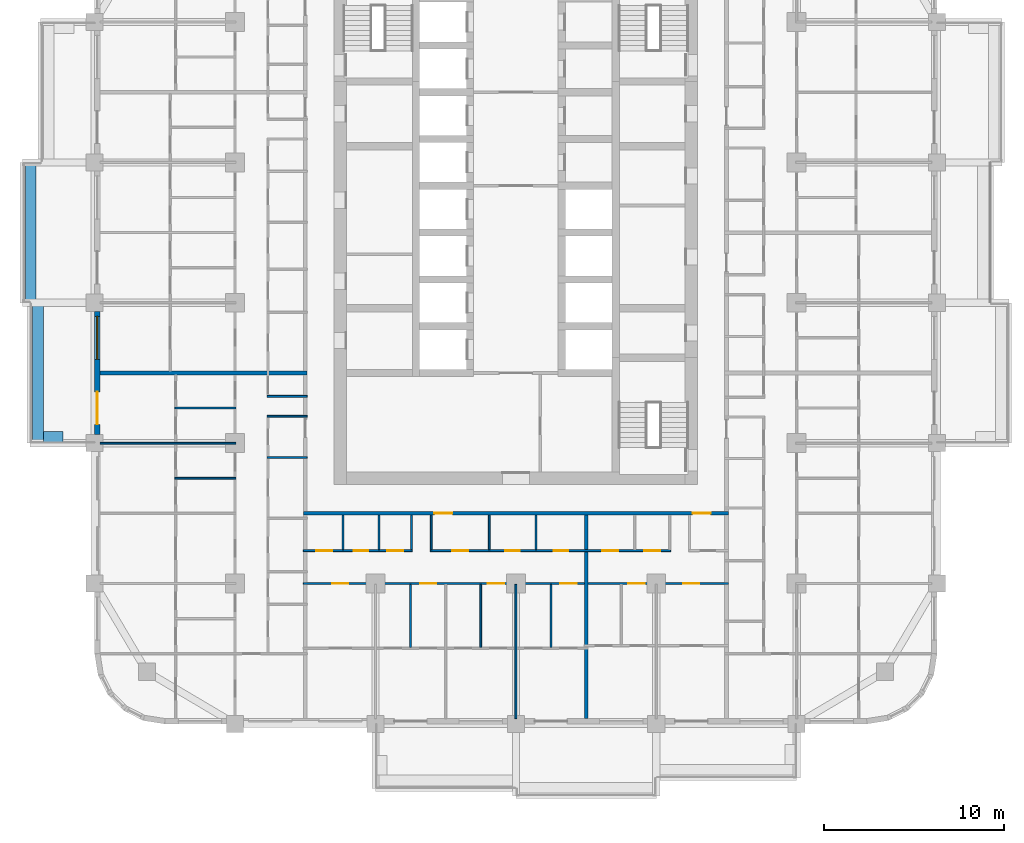
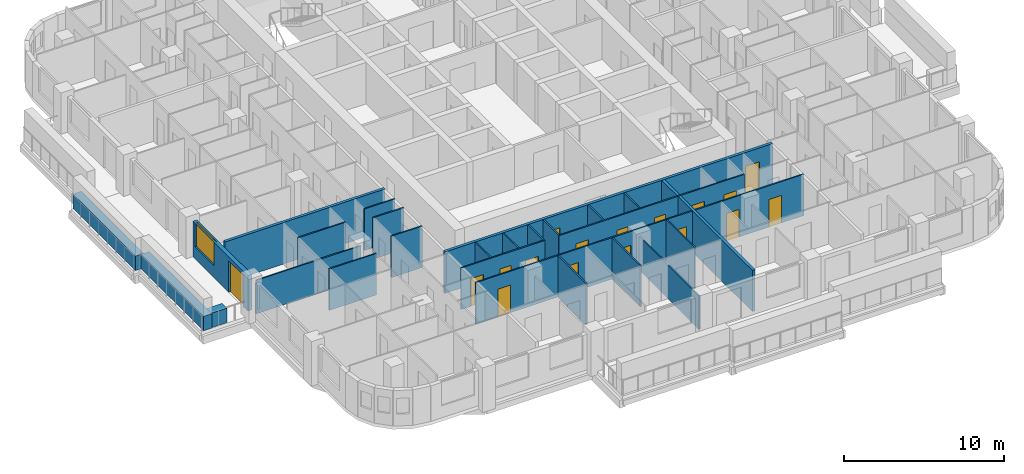
# One storey, part 4 of 17: 26 walls, 17 doors, 1 window, 18 openings.
"""IFC4 building model written with IfcOpenShell, lengths in metres."""

from ifc_helpers import new_model, si_unit, direction, frame, frame_2d, origin, place, context, subcontext, project, spatial, rectangle, extrude, material, layer, layer_set, type_object, element, fill, save


model = new_model("IFC4")

# Units and contexts
model_context = context("Model", 3, precision=1e-05, world=origin(), true_north=direction((0.0, 1.0)))
body_context = subcontext(model_context, "Body", "Model", "MODEL_VIEW")
ifc_project = project(units=[si_unit("LENGTHUNIT", "METRE"), si_unit("AREAUNIT", "SQUARE_METRE"), si_unit("VOLUMEUNIT", "CUBIC_METRE"), si_unit("PLANEANGLEUNIT", "RADIAN"), si_unit("MASSUNIT", "GRAM", prefix="KILO")], contexts=[model_context])

# Site, building, storey
site_placement = place(None, origin())
site = spatial("IfcSite", under=ifc_project, at=site_placement, CompositionType="ELEMENT")
building_placement = place(site_placement, origin())
building = spatial("IfcBuilding", under=site, at=building_placement, Name="Ludao Terraces", CompositionType="ELEMENT")
storey_placement = place(building_placement, frame((0.0, 0.0, 85.199951171875)))
storey = spatial("IfcBuildingStorey", under=building, at=storey_placement, Name="L23", CompositionType="ELEMENT", Elevation=85.199951171875)

# Walls
ifc_material_1 = material(Name="Concrete C40", Category="concrete")
ifc_layer_1 = layer(ifc_material_1, 0.60009765625)
ifc_layer_set_1 = layer_set([ifc_layer_1], Name="ENV Planter trough 600")
wall_type_1 = type_object("IfcWallType", Name="ENV Planter trough 600", PredefinedType="USERDEFINED", material=ifc_layer_set_1)
wall_1_placement = place(storey_placement, frame((58.449951171875, 57.199951171875, 0.0), z_axis=(0.0, 0.0, 1.0), x_axis=(0.0, 1.0, 0.0)))
element("IfcWall", 1, at=wall_1_placement, inside=storey, type_object=wall_type_1, Name="PL-L23-W2", ObjectType="PLANTER", PredefinedType="USERDEFINED", context=body_context, shape_type="SweptSolid", body=[
    extrude(rectangle(XDim=7.800048828125, YDim=0.60009765625, at=frame_2d((3.89990234375, 0.0))), origin(), (0.0, 0.0, 1.0), 1.10009765625),
])
wall_2_placement = place(storey_placement, frame((58.75, 57.550048828125, 0.0), z_axis=(0.0, 0.0, 1.0), x_axis=(1.0, 0.0, 0.0)))
element("IfcWall", 2, at=wall_2_placement, inside=storey, type_object=wall_type_1, Name="PL-L23-W2-SA", ObjectType="PLANTER", PredefinedType="USERDEFINED", context=body_context, shape_type="SweptSolid", body=[
    extrude(rectangle(XDim=1.10009765625, YDim=0.60009765625, at=frame_2d((0.550048828125, 0.0))), origin(), (0.0, 0.0, 1.0), 1.10009765625),
])
wall_3_placement = place(storey_placement, frame((58.050048828125, 65.0, 0.0), z_axis=(0.0, 0.0, 1.0), x_axis=(0.0, 1.0, 0.0)))
element("IfcWall", 3, at=wall_3_placement, inside=storey, type_object=wall_type_1, Name="PL-L23-W3", ObjectType="PLANTER", PredefinedType="USERDEFINED", context=body_context, shape_type="SweptSolid", body=[
    extrude(rectangle(XDim=7.800048828125, YDim=0.60009765625, at=frame_2d((3.89990234375, 0.0))), origin(), (0.0, 0.0, 1.0), 1.10009765625),
])

# Wall, openings, door, window
ifc_material_2 = material(Name="Granite cladding", Category="masonry")
ifc_layer_2 = layer(ifc_material_2, 0.0400390625, Category="stone")
ifc_material_3 = material(Name="Mineral wool")
ifc_layer_3 = layer(ifc_material_3, 0.06005859375)
ifc_layer_4 = layer(ifc_material_1, 0.199951171875, Category="concrete")
ifc_layer_set_2 = layer_set([ifc_layer_2, ifc_layer_3, ifc_layer_4], Name="ENV Stone-clad wall 300")
wall_type_2 = type_object("IfcWallType", Name="ENV Stone-clad wall 300", PredefinedType="SOLIDWALL", material=ifc_layer_set_2)
wall_4_placement = place(storey_placement, frame((61.75, 57.675048828125, 0.0), z_axis=(0.0, 0.0, 1.0), x_axis=(0.0, 1.0, 0.0)))
wall_4 = element("IfcWall", 4, at=wall_4_placement, inside=storey, type_object=wall_type_2, Name="EW-L23-W3", PredefinedType="SOLIDWALL", context=body_context, shape_type="SweptSolid", body=[
    extrude(rectangle(XDim=6.849853515625, YDim=0.300048828125, at=frame_2d((3.4248046875, 0.0))), origin(), (0.0, 0.0, 1.0), 2.699951171875),
])
opening_1_placement = place(wall_4_placement, frame((0.574951171875, 0.0, 0.0)))
opening_1 = element("IfcOpeningElement", 5, at=opening_1_placement, cuts=wall_4, Name="Opening BD", PredefinedType="OPENING", context=body_context, shape_type="SweptSolid", body=[
    extrude(rectangle(XDim=1.800048828125, YDim=2.39990234375, at=frame_2d((0.89990234375, 1.199951171875))), frame((0.0, 0.16015625, 0.0), z_axis=(0.0, -1.0, 0.0), x_axis=(1.0, 0.0, 0.0)), (0.0, 0.0, 1.0), 0.320068359375),
])
opening_2_placement = place(wall_4_placement, frame((4.175048828125, 0.0, 0.89990234375)))
opening_2 = element("IfcOpeningElement", 6, at=opening_2_placement, cuts=wall_4, Name="Opening W1", PredefinedType="OPENING", context=body_context, shape_type="SweptSolid", body=[
    extrude(rectangle(XDim=2.39990234375, YDim=1.800048828125, at=frame_2d((1.199951171875, 0.89990234375))), frame((0.0, 0.16015625, 0.0), z_axis=(0.0, -1.0, 0.0), x_axis=(1.0, 0.0, 0.0)), (0.0, 0.0, 1.0), 0.320068359375),
])
ifc_material_4 = material(Name="Aluminium glazed door", Category="aluminium")
ifc_layer_5 = layer(ifc_material_4, 0.06005859375)
ifc_layer_set_3 = layer_set([ifc_layer_5], Name="ENV Balcony door BD 1800x2400")
door_type_1 = type_object("IfcDoorType", Name="ENV Balcony door BD 1800x2400", OperationType="DOUBLE_DOOR_SINGLE_SWING", PredefinedType="DOOR", material=ifc_layer_set_3)
door_1_placement = place(opening_1_placement, origin())
door_1 = element("IfcDoor", 7, at=door_1_placement, inside=storey, type_object=door_type_1, Name="BD-L23-W3-1", OperationType="DOUBLE_DOOR_SINGLE_SWING", OverallHeight=2.39990234375, OverallWidth=1.800048828125, PredefinedType="DOOR", context=body_context, shape_type="SweptSolid", body=[
    extrude(rectangle(XDim=1.800048828125, YDim=2.39990234375, at=frame_2d((0.89990234375, 1.199951171875))), frame((0.0, 0.02490234375, 0.0), z_axis=(0.0, -1.0, 0.0), x_axis=(1.0, 0.0, 0.0)), (0.0, 0.0, 1.0), 0.050048828125),
])
fill(opening_1, door_1)
ifc_material_5 = material(Name="Clear glass in aluminium frame", Category="aluminium")
ifc_layer_6 = layer(ifc_material_5, 0.06005859375)
ifc_layer_set_4 = layer_set([ifc_layer_6], Name="ENV Window W1 2400x1800")
window_type = type_object("IfcWindowType", Name="ENV Window W1 2400x1800", PartitioningType="DOUBLE_PANEL_VERTICAL", PredefinedType="WINDOW", material=ifc_layer_set_4)
window_placement = place(opening_2_placement, origin())
window = element("IfcWindow", 8, at=window_placement, inside=storey, type_object=window_type, Name="W-L23-W3-2", OverallHeight=1.800048828125, OverallWidth=2.39990234375, PartitioningType="DOUBLE_PANEL_VERTICAL", PredefinedType="WINDOW", context=body_context, shape_type="SweptSolid", body=[
    extrude(rectangle(XDim=2.39990234375, YDim=1.800048828125, at=frame_2d((1.199951171875, 0.89990234375))), frame((0.0, 0.030029296875, 0.0), z_axis=(0.0, -1.0, 0.0), x_axis=(1.0, 0.0, 0.0)), (0.0, 0.0, 1.0), 0.06005859375),
])
fill(opening_2, window)

# Wall, openings, doors
ifc_material_6 = material(Name="Autoclaved aerated concrete block B06 A3.5", Category="concrete")
ifc_layer_7 = layer(ifc_material_6, 0.199951171875)
ifc_layer_set_5 = layer_set([ifc_layer_7], Name="INT Entrance wall 200")
wall_type_3 = type_object("IfcWallType", Name="INT Entrance wall 200", PredefinedType="PARTITIONING", material=ifc_layer_set_5)
wall_5_placement = place(storey_placement, frame((73.2001953125, 53.300048828125, 0.0), z_axis=(0.0, 0.0, 1.0), x_axis=(1.0, 0.0, 0.0)))
wall_5 = element("IfcWall", 9, at=wall_5_placement, inside=storey, type_object=wall_type_3, Name="PW-L23-PW017", PredefinedType="PARTITIONING", context=body_context, shape_type="SweptSolid", body=[
    extrude(rectangle(XDim=23.599853515625, YDim=0.199951171875, at=frame_2d((11.7998046875, 0.0))), origin(), (0.0, 0.0, 1.0), 3.150146484375),
])
opening_3_placement = place(wall_5_placement, frame((7.27490234375, 0.0, 0.0)))
opening_3 = element("IfcOpeningElement", 10, at=opening_3_placement, cuts=wall_5, Name="Opening R07-047", PredefinedType="OPENING", context=body_context, shape_type="SweptSolid", body=[
    extrude(rectangle(XDim=1.0, YDim=2.10009765625, at=frame_2d((0.5, 1.050048828125))), frame((0.0, 0.10986328125, 0.0), z_axis=(0.0, -1.0, 0.0), x_axis=(1.0, 0.0, 0.0)), (0.0, 0.0, 1.0), 0.219970703125),
])
opening_4_placement = place(wall_5_placement, frame((21.625, 0.0, 0.0)))
opening_4 = element("IfcOpeningElement", 11, at=opening_4_placement, cuts=wall_5, Name="Opening R07-048", PredefinedType="OPENING", context=body_context, shape_type="SweptSolid", body=[
    extrude(rectangle(XDim=1.0, YDim=2.10009765625, at=frame_2d((0.5, 1.050048828125))), frame((0.0, 0.10986328125, 0.0), z_axis=(0.0, -1.0, 0.0), x_axis=(1.0, 0.0, 0.0)), (0.0, 0.0, 1.0), 0.219970703125),
])
ifc_material_7 = material(Name="Steel Q235", Category="steel")
door_type_2 = type_object("IfcDoorType", Name="INT Flat entrance door 1000", OperationType="SINGLE_SWING_LEFT", PredefinedType="DOOR", material=ifc_material_7)
door_2_placement = place(opening_3_placement, origin())
door_2 = element("IfcDoor", 12, at=door_2_placement, inside=storey, type_object=door_type_2, Name="DOOR 047", OperationType="SINGLE_SWING_LEFT", OverallHeight=2.10009765625, OverallWidth=1.0, PredefinedType="DOOR", context=body_context, shape_type="SweptSolid", body=[
    extrude(rectangle(XDim=1.0, YDim=2.10009765625, at=frame_2d((0.5, 1.050048828125))), frame((0.0, 0.02490234375, 0.0), z_axis=(0.0, -1.0, 0.0), x_axis=(1.0, 0.0, 0.0)), (0.0, 0.0, 1.0), 0.050048828125),
])
fill(opening_3, door_2)
door_3_placement = place(opening_4_placement, origin())
door_3 = element("IfcDoor", 13, at=door_3_placement, inside=storey, type_object=door_type_2, Name="DOOR 048", OperationType="SINGLE_SWING_LEFT", OverallHeight=2.10009765625, OverallWidth=1.0, PredefinedType="DOOR", context=body_context, shape_type="SweptSolid", body=[
    extrude(rectangle(XDim=1.0, YDim=2.10009765625, at=frame_2d((0.5, 1.050048828125))), frame((0.0, 0.02490234375, 0.0), z_axis=(0.0, -1.0, 0.0), x_axis=(1.0, 0.0, 0.0)), (0.0, 0.0, 1.0), 0.050048828125),
])
fill(opening_4, door_3)

ifc_material_8 = material(Name="Gypsum plasterboard", Category="gypsum")
ifc_layer_8 = layer(ifc_material_8, 0.012451171875, Category="gypsum")
ifc_layer_9 = layer(ifc_material_3, 0.06005859375, Name="insulation")
ifc_layer_10 = layer(ifc_material_7, 0.014892578125, Name="stud")
ifc_layer_11 = layer(ifc_material_8, 0.012451171875, Category="gypsum")
ifc_layer_set_6 = layer_set([ifc_layer_8, ifc_layer_9, ifc_layer_10, ifc_layer_11], Name="INT Partition 100")
wall_type_4 = type_object("IfcWallType", Name="INT Partition 100", PredefinedType="PARTITIONING", material=ifc_layer_set_6)
wall_6_placement = place(storey_placement, frame((73.2001953125, 49.39990234375, 0.0), z_axis=(0.0, 0.0, 1.0), x_axis=(1.0, 0.0, 0.0)))
wall_6 = element("IfcWall", 14, at=wall_6_placement, inside=storey, type_object=wall_type_4, Name="PW-L23-PW008", PredefinedType="PARTITIONING", context=body_context, shape_type="SweptSolid", body=[
    extrude(rectangle(XDim=23.599853515625, YDim=0.10009765625, at=frame_2d((11.7998046875, 0.0))), origin(), (0.0, 0.0, 1.0), 3.150146484375),
])
opening_5_placement = place(wall_6_placement, frame((1.599853515625, 0.0, 0.0)))
opening_5 = element("IfcOpeningElement", 15, at=opening_5_placement, cuts=wall_6, Name="Opening R07-026", PredefinedType="OPENING", context=body_context, shape_type="SweptSolid", body=[
    extrude(rectangle(XDim=0.89990234375, YDim=2.10009765625, at=frame_2d((0.449951171875, 1.050048828125))), frame((0.0, 0.06005859375, 0.0), z_axis=(0.0, -1.0, 0.0), x_axis=(1.0, 0.0, 0.0)), (0.0, 0.0, 1.0), 0.1201171875),
])
opening_6_placement = place(wall_6_placement, frame((6.474853515625, 0.0, 0.0)))
opening_6 = element("IfcOpeningElement", 16, at=opening_6_placement, cuts=wall_6, Name="Opening R07-027", PredefinedType="OPENING", context=body_context, shape_type="SweptSolid", body=[
    extrude(rectangle(XDim=0.89990234375, YDim=2.10009765625, at=frame_2d((0.449951171875, 1.050048828125))), frame((0.0, 0.06005859375, 0.0), z_axis=(0.0, -1.0, 0.0), x_axis=(1.0, 0.0, 0.0)), (0.0, 0.0, 1.0), 0.1201171875),
])
opening_7_placement = place(wall_6_placement, frame((10.25, 0.0, 0.0)))
opening_7 = element("IfcOpeningElement", 17, at=opening_7_placement, cuts=wall_6, Name="Opening R07-028", PredefinedType="OPENING", context=body_context, shape_type="SweptSolid", body=[
    extrude(rectangle(XDim=0.89990234375, YDim=2.10009765625, at=frame_2d((0.449951171875, 1.050048828125))), frame((0.0, 0.06005859375, 0.0), z_axis=(0.0, -1.0, 0.0), x_axis=(1.0, 0.0, 0.0)), (0.0, 0.0, 1.0), 0.1201171875),
])
opening_8_placement = place(wall_6_placement, frame((14.27490234375, 0.0, 0.0)))
opening_8 = element("IfcOpeningElement", 18, at=opening_8_placement, cuts=wall_6, Name="Opening R07-029", PredefinedType="OPENING", context=body_context, shape_type="SweptSolid", body=[
    extrude(rectangle(XDim=0.89990234375, YDim=2.10009765625, at=frame_2d((0.449951171875, 1.050048828125))), frame((0.0, 0.06005859375, 0.0), z_axis=(0.0, -1.0, 0.0), x_axis=(1.0, 0.0, 0.0)), (0.0, 0.0, 1.0), 0.1201171875),
])
opening_9_placement = place(wall_6_placement, frame((18.0498046875, 0.0, 0.0)))
opening_9 = element("IfcOpeningElement", 19, at=opening_9_placement, cuts=wall_6, Name="Opening R07-030", PredefinedType="OPENING", context=body_context, shape_type="SweptSolid", body=[
    extrude(rectangle(XDim=0.89990234375, YDim=2.10009765625, at=frame_2d((0.449951171875, 1.050048828125))), frame((0.0, 0.06005859375, 0.0), z_axis=(0.0, -1.0, 0.0), x_axis=(1.0, 0.0, 0.0)), (0.0, 0.0, 1.0), 0.1201171875),
])
opening_10_placement = place(wall_6_placement, frame((21.099853515625, 0.0, 0.0)))
opening_10 = element("IfcOpeningElement", 20, at=opening_10_placement, cuts=wall_6, Name="Opening R07-031", PredefinedType="OPENING", context=body_context, shape_type="SweptSolid", body=[
    extrude(rectangle(XDim=0.89990234375, YDim=2.10009765625, at=frame_2d((0.449951171875, 1.050048828125))), frame((0.0, 0.06005859375, 0.0), z_axis=(0.0, -1.0, 0.0), x_axis=(1.0, 0.0, 0.0)), (0.0, 0.0, 1.0), 0.1201171875),
])
ifc_material_9 = material(Name="Timber door leaf", Category="wood")
door_type_3 = type_object("IfcDoorType", Name="INT Room door 900", OperationType="SINGLE_SWING_LEFT", PredefinedType="DOOR", material=ifc_material_9)
door_4_placement = place(opening_5_placement, origin())
door_4 = element("IfcDoor", 21, at=door_4_placement, inside=storey, type_object=door_type_3, Name="DOOR 026", OperationType="SINGLE_SWING_LEFT", OverallHeight=2.10009765625, OverallWidth=0.89990234375, PredefinedType="DOOR", context=body_context, shape_type="SweptSolid", body=[
    extrude(rectangle(XDim=0.89990234375, YDim=2.10009765625, at=frame_2d((0.449951171875, 1.050048828125))), frame((0.0, 0.02490234375, 0.0), z_axis=(0.0, -1.0, 0.0), x_axis=(1.0, 0.0, 0.0)), (0.0, 0.0, 1.0), 0.050048828125),
])
fill(opening_5, door_4)
door_5_placement = place(opening_6_placement, origin())
door_5 = element("IfcDoor", 22, at=door_5_placement, inside=storey, type_object=door_type_3, Name="DOOR 027", OperationType="SINGLE_SWING_RIGHT", OverallHeight=2.10009765625, OverallWidth=0.89990234375, PredefinedType="DOOR", context=body_context, shape_type="SweptSolid", body=[
    extrude(rectangle(XDim=0.89990234375, YDim=2.10009765625, at=frame_2d((0.449951171875, 1.050048828125))), frame((0.0, 0.02490234375, 0.0), z_axis=(0.0, -1.0, 0.0), x_axis=(1.0, 0.0, 0.0)), (0.0, 0.0, 1.0), 0.050048828125),
])
fill(opening_6, door_5)
door_6_placement = place(opening_7_placement, origin())
door_6 = element("IfcDoor", 23, at=door_6_placement, inside=storey, type_object=door_type_3, Name="DOOR 028", OperationType="SINGLE_SWING_RIGHT", OverallHeight=2.10009765625, OverallWidth=0.89990234375, PredefinedType="DOOR", context=body_context, shape_type="SweptSolid", body=[
    extrude(rectangle(XDim=0.89990234375, YDim=2.10009765625, at=frame_2d((0.449951171875, 1.050048828125))), frame((0.0, 0.02490234375, 0.0), z_axis=(0.0, -1.0, 0.0), x_axis=(1.0, 0.0, 0.0)), (0.0, 0.0, 1.0), 0.050048828125),
])
fill(opening_7, door_6)
door_7_placement = place(opening_8_placement, origin())
door_7 = element("IfcDoor", 24, at=door_7_placement, inside=storey, type_object=door_type_3, Name="DOOR 029", OperationType="SINGLE_SWING_LEFT", OverallHeight=2.10009765625, OverallWidth=0.89990234375, PredefinedType="DOOR", context=body_context, shape_type="SweptSolid", body=[
    extrude(rectangle(XDim=0.89990234375, YDim=2.10009765625, at=frame_2d((0.449951171875, 1.050048828125))), frame((0.0, 0.02490234375, 0.0), z_axis=(0.0, -1.0, 0.0), x_axis=(1.0, 0.0, 0.0)), (0.0, 0.0, 1.0), 0.050048828125),
])
fill(opening_8, door_7)
door_8_placement = place(opening_9_placement, origin())
door_8 = element("IfcDoor", 25, at=door_8_placement, inside=storey, type_object=door_type_3, Name="DOOR 030", OperationType="SINGLE_SWING_RIGHT", OverallHeight=2.10009765625, OverallWidth=0.89990234375, PredefinedType="DOOR", context=body_context, shape_type="SweptSolid", body=[
    extrude(rectangle(XDim=0.89990234375, YDim=2.10009765625, at=frame_2d((0.449951171875, 1.050048828125))), frame((0.0, 0.02490234375, 0.0), z_axis=(0.0, -1.0, 0.0), x_axis=(1.0, 0.0, 0.0)), (0.0, 0.0, 1.0), 0.050048828125),
])
fill(opening_9, door_8)
door_9_placement = place(opening_10_placement, origin())
door_9 = element("IfcDoor", 26, at=door_9_placement, inside=storey, type_object=door_type_3, Name="DOOR 031", OperationType="SINGLE_SWING_RIGHT", OverallHeight=2.10009765625, OverallWidth=0.89990234375, PredefinedType="DOOR", context=body_context, shape_type="SweptSolid", body=[
    extrude(rectangle(XDim=0.89990234375, YDim=2.10009765625, at=frame_2d((0.449951171875, 1.050048828125))), frame((0.0, 0.02490234375, 0.0), z_axis=(0.0, -1.0, 0.0), x_axis=(1.0, 0.0, 0.0)), (0.0, 0.0, 1.0), 0.050048828125),
])
fill(opening_10, door_9)

wall_7_placement = place(storey_placement, frame((73.2001953125, 51.22998046875, 0.0), z_axis=(0.0, 0.0, 1.0), x_axis=(1.0, 0.0, 0.0)))
wall_7 = element("IfcWall", 27, at=wall_7_placement, inside=storey, type_object=wall_type_4, Name="PW-L23-PW012", PredefinedType="PARTITIONING", context=body_context, shape_type="SweptSolid", body=[
    extrude(rectangle(XDim=6.0498046875, YDim=0.10009765625, at=frame_2d((3.02490234375, 0.0))), origin(), (0.0, 0.0, 1.0), 3.150146484375),
])
opening_11_placement = place(wall_7_placement, frame((0.699951171875, 0.0, 0.0)))
opening_11 = element("IfcOpeningElement", 28, at=opening_11_placement, cuts=wall_7, Name="Opening R07-032", PredefinedType="OPENING", context=body_context, shape_type="SweptSolid", body=[
    extrude(rectangle(XDim=0.89990234375, YDim=2.10009765625, at=frame_2d((0.449951171875, 1.050048828125))), frame((0.0, 0.06005859375, 0.0), z_axis=(0.0, -1.0, 0.0), x_axis=(1.0, 0.0, 0.0)), (0.0, 0.0, 1.0), 0.1201171875),
])
opening_12_placement = place(wall_7_placement, frame((2.7998046875, 0.0, 0.0)))
opening_12 = element("IfcOpeningElement", 29, at=opening_12_placement, cuts=wall_7, Name="Opening R07-033", PredefinedType="OPENING", context=body_context, shape_type="SweptSolid", body=[
    extrude(rectangle(XDim=0.800048828125, YDim=2.10009765625, at=frame_2d((0.39990234375, 1.050048828125))), frame((0.0, 0.06005859375, 0.0), z_axis=(0.0, -1.0, 0.0), x_axis=(1.0, 0.0, 0.0)), (0.0, 0.0, 1.0), 0.1201171875),
])
opening_13_placement = place(wall_7_placement, frame((4.64990234375, 0.0, 0.0)))
opening_13 = element("IfcOpeningElement", 30, at=opening_13_placement, cuts=wall_7, Name="Opening R07-034", PredefinedType="OPENING", context=body_context, shape_type="SweptSolid", body=[
    extrude(rectangle(XDim=0.89990234375, YDim=2.10009765625, at=frame_2d((0.449951171875, 1.050048828125))), frame((0.0, 0.06005859375, 0.0), z_axis=(0.0, -1.0, 0.0), x_axis=(1.0, 0.0, 0.0)), (0.0, 0.0, 1.0), 0.1201171875),
])
door_type_4 = type_object("IfcDoorType", Name="INT Bathroom door 900", OperationType="SINGLE_SWING_LEFT", PredefinedType="DOOR", material=ifc_material_9)
door_10_placement = place(opening_11_placement, origin())
door_10 = element("IfcDoor", 31, at=door_10_placement, inside=storey, type_object=door_type_4, Name="DOOR 032", OperationType="SINGLE_SWING_LEFT", OverallHeight=2.10009765625, OverallWidth=0.89990234375, PredefinedType="DOOR", context=body_context, shape_type="SweptSolid", body=[
    extrude(rectangle(XDim=0.89990234375, YDim=2.10009765625, at=frame_2d((0.449951171875, 1.050048828125))), frame((0.0, 0.02490234375, 0.0), z_axis=(0.0, -1.0, 0.0), x_axis=(1.0, 0.0, 0.0)), (0.0, 0.0, 1.0), 0.050048828125),
])
fill(opening_11, door_10)
door_11_placement = place(opening_13_placement, origin())
door_11 = element("IfcDoor", 32, at=door_11_placement, inside=storey, type_object=door_type_4, Name="DOOR 034", OperationType="SINGLE_SWING_LEFT", OverallHeight=2.10009765625, OverallWidth=0.89990234375, PredefinedType="DOOR", context=body_context, shape_type="SweptSolid", body=[
    extrude(rectangle(XDim=0.89990234375, YDim=2.10009765625, at=frame_2d((0.449951171875, 1.050048828125))), frame((0.0, 0.02490234375, 0.0), z_axis=(0.0, -1.0, 0.0), x_axis=(1.0, 0.0, 0.0)), (0.0, 0.0, 1.0), 0.050048828125),
])
fill(opening_13, door_11)
door_type_5 = type_object("IfcDoorType", Name="INT Store door 800", OperationType="SINGLE_SWING_LEFT", PredefinedType="DOOR", material=ifc_material_9)
door_12_placement = place(opening_12_placement, origin())
door_12 = element("IfcDoor", 33, at=door_12_placement, inside=storey, type_object=door_type_5, Name="DOOR 033", OperationType="SINGLE_SWING_LEFT", OverallHeight=2.10009765625, OverallWidth=0.800048828125, PredefinedType="DOOR", context=body_context, shape_type="SweptSolid", body=[
    extrude(rectangle(XDim=0.800048828125, YDim=2.10009765625, at=frame_2d((0.39990234375, 1.050048828125))), frame((0.0, 0.02490234375, 0.0), z_axis=(0.0, -1.0, 0.0), x_axis=(1.0, 0.0, 0.0)), (0.0, 0.0, 1.0), 0.050048828125),
])
fill(opening_12, door_12)

wall_8_placement = place(storey_placement, frame((80.25, 51.22998046875, 0.0), z_axis=(0.0, 0.0, 1.0), x_axis=(1.0, 0.0, 0.0)))
wall_8 = element("IfcWall", 34, at=wall_8_placement, inside=storey, type_object=wall_type_4, Name="PW-L23-PW013", PredefinedType="PARTITIONING", context=body_context, shape_type="SweptSolid", body=[
    extrude(rectangle(XDim=13.35009765625, YDim=0.10009765625, at=frame_2d((6.675048828125, 0.0))), origin(), (0.0, 0.0, 1.0), 3.150146484375),
])
opening_14_placement = place(wall_8_placement, frame((1.210205078125, 0.0, 0.0)))
opening_14 = element("IfcOpeningElement", 35, at=opening_14_placement, cuts=wall_8, Name="Opening R07-035", PredefinedType="OPENING", context=body_context, shape_type="SweptSolid", body=[
    extrude(rectangle(XDim=0.89990234375, YDim=2.10009765625, at=frame_2d((0.449951171875, 1.050048828125))), frame((0.0, 0.06005859375, 0.0), z_axis=(0.0, -1.0, 0.0), x_axis=(1.0, 0.0, 0.0)), (0.0, 0.0, 1.0), 0.1201171875),
])
opening_15_placement = place(wall_8_placement, frame((4.170166015625, 0.0, 0.0)))
opening_15 = element("IfcOpeningElement", 36, at=opening_15_placement, cuts=wall_8, Name="Opening R07-036", PredefinedType="OPENING", context=body_context, shape_type="SweptSolid", body=[
    extrude(rectangle(XDim=0.800048828125, YDim=2.10009765625, at=frame_2d((0.39990234375, 1.050048828125))), frame((0.0, 0.06005859375, 0.0), z_axis=(0.0, -1.0, 0.0), x_axis=(1.0, 0.0, 0.0)), (0.0, 0.0, 1.0), 0.1201171875),
])
opening_16_placement = place(wall_8_placement, frame((6.860107421875, 0.0, 0.0)))
opening_16 = element("IfcOpeningElement", 37, at=opening_16_placement, cuts=wall_8, Name="Opening R07-037", PredefinedType="OPENING", context=body_context, shape_type="SweptSolid", body=[
    extrude(rectangle(XDim=0.800048828125, YDim=2.10009765625, at=frame_2d((0.39990234375, 1.050048828125))), frame((0.0, 0.06005859375, 0.0), z_axis=(0.0, -1.0, 0.0), x_axis=(1.0, 0.0, 0.0)), (0.0, 0.0, 1.0), 0.1201171875),
])
opening_17_placement = place(wall_8_placement, frame((9.550048828125, 0.0, 0.0)))
opening_17 = element("IfcOpeningElement", 38, at=opening_17_placement, cuts=wall_8, Name="Opening R07-038", PredefinedType="OPENING", context=body_context, shape_type="SweptSolid", body=[
    extrude(rectangle(XDim=0.89990234375, YDim=2.10009765625, at=frame_2d((0.449951171875, 1.050048828125))), frame((0.0, 0.06005859375, 0.0), z_axis=(0.0, -1.0, 0.0), x_axis=(1.0, 0.0, 0.0)), (0.0, 0.0, 1.0), 0.1201171875),
])
opening_18_placement = place(wall_8_placement, frame((11.875, 0.0, 0.0)))
opening_18 = element("IfcOpeningElement", 39, at=opening_18_placement, cuts=wall_8, Name="Opening R07-039", PredefinedType="OPENING", context=body_context, shape_type="SweptSolid", body=[
    extrude(rectangle(XDim=0.89990234375, YDim=2.10009765625, at=frame_2d((0.449951171875, 1.050048828125))), frame((0.0, 0.06005859375, 0.0), z_axis=(0.0, -1.0, 0.0), x_axis=(1.0, 0.0, 0.0)), (0.0, 0.0, 1.0), 0.1201171875),
])
door_13_placement = place(opening_18_placement, origin())
door_13 = element("IfcDoor", 40, at=door_13_placement, inside=storey, type_object=door_type_4, Name="DOOR 039", OperationType="SINGLE_SWING_LEFT", OverallHeight=2.10009765625, OverallWidth=0.89990234375, PredefinedType="DOOR", context=body_context, shape_type="SweptSolid", body=[
    extrude(rectangle(XDim=0.89990234375, YDim=2.10009765625, at=frame_2d((0.449951171875, 1.050048828125))), frame((0.0, 0.02490234375, 0.0), z_axis=(0.0, -1.0, 0.0), x_axis=(1.0, 0.0, 0.0)), (0.0, 0.0, 1.0), 0.050048828125),
])
fill(opening_18, door_13)
door_14_placement = place(opening_14_placement, origin())
door_14 = element("IfcDoor", 41, at=door_14_placement, inside=storey, type_object=door_type_3, Name="DOOR 035", OperationType="SINGLE_SWING_LEFT", OverallHeight=2.10009765625, OverallWidth=0.89990234375, PredefinedType="DOOR", context=body_context, shape_type="SweptSolid", body=[
    extrude(rectangle(XDim=0.89990234375, YDim=2.10009765625, at=frame_2d((0.449951171875, 1.050048828125))), frame((0.0, 0.02490234375, 0.0), z_axis=(0.0, -1.0, 0.0), x_axis=(1.0, 0.0, 0.0)), (0.0, 0.0, 1.0), 0.050048828125),
])
fill(opening_14, door_14)
door_15_placement = place(opening_17_placement, origin())
door_15 = element("IfcDoor", 42, at=door_15_placement, inside=storey, type_object=door_type_3, Name="DOOR 038", OperationType="SINGLE_SWING_LEFT", OverallHeight=2.10009765625, OverallWidth=0.89990234375, PredefinedType="DOOR", context=body_context, shape_type="SweptSolid", body=[
    extrude(rectangle(XDim=0.89990234375, YDim=2.10009765625, at=frame_2d((0.449951171875, 1.050048828125))), frame((0.0, 0.02490234375, 0.0), z_axis=(0.0, -1.0, 0.0), x_axis=(1.0, 0.0, 0.0)), (0.0, 0.0, 1.0), 0.050048828125),
])
fill(opening_17, door_15)
door_16_placement = place(opening_15_placement, origin())
door_16 = element("IfcDoor", 43, at=door_16_placement, inside=storey, type_object=door_type_5, Name="DOOR 036", OperationType="SINGLE_SWING_RIGHT", OverallHeight=2.10009765625, OverallWidth=0.800048828125, PredefinedType="DOOR", context=body_context, shape_type="SweptSolid", body=[
    extrude(rectangle(XDim=0.800048828125, YDim=2.10009765625, at=frame_2d((0.39990234375, 1.050048828125))), frame((0.0, 0.02490234375, 0.0), z_axis=(0.0, -1.0, 0.0), x_axis=(1.0, 0.0, 0.0)), (0.0, 0.0, 1.0), 0.050048828125),
])
fill(opening_15, door_16)
door_17_placement = place(opening_16_placement, origin())
door_17 = element("IfcDoor", 44, at=door_17_placement, inside=storey, type_object=door_type_5, Name="DOOR 037", OperationType="SINGLE_SWING_LEFT", OverallHeight=2.10009765625, OverallWidth=0.800048828125, PredefinedType="DOOR", context=body_context, shape_type="SweptSolid", body=[
    extrude(rectangle(XDim=0.800048828125, YDim=2.10009765625, at=frame_2d((0.39990234375, 1.050048828125))), frame((0.0, 0.02490234375, 0.0), z_axis=(0.0, -1.0, 0.0), x_axis=(1.0, 0.0, 0.0)), (0.0, 0.0, 1.0), 0.050048828125),
])
fill(opening_16, door_17)

# Walls
wall_9_placement = place(storey_placement, frame((66.050048828125, 55.25, 0.0), z_axis=(0.0, 0.0, 1.0), x_axis=(1.0, 0.0, 0.0)))
element("IfcWall", 45, at=wall_9_placement, inside=storey, type_object=wall_type_4, Name="PW-L23-PW020", PredefinedType="PARTITIONING", context=body_context, shape_type="SweptSolid", body=[
    extrude(rectangle(XDim=3.400146484375, YDim=0.10009765625, at=frame_2d((1.7001953125, 0.0))), origin(), (0.0, 0.0, 1.0), 3.150146484375),
])
wall_10_placement = place(storey_placement, frame((71.18017578125, 56.39990234375, 0.0), z_axis=(0.0, 0.0, 1.0), x_axis=(1.0, 0.0, 0.0)))
element("IfcWall", 46, at=wall_10_placement, inside=storey, type_object=wall_type_4, Name="PW-L23-PW023", PredefinedType="PARTITIONING", context=body_context, shape_type="SweptSolid", body=[
    extrude(rectangle(XDim=2.219970703125, YDim=0.10009765625, at=frame_2d((1.10986328125, 0.0))), origin(), (0.0, 0.0, 1.0), 3.150146484375),
])
wall_11_placement = place(storey_placement, frame((61.900146484375, 57.199951171875, 0.0), z_axis=(0.0, 0.0, 1.0), x_axis=(1.0, 0.0, 0.0)))
element("IfcWall", 47, at=wall_11_placement, inside=storey, type_object=wall_type_4, Name="PW-L23-PW024", PredefinedType="PARTITIONING", context=body_context, shape_type="SweptSolid", body=[
    extrude(rectangle(XDim=7.550048828125, YDim=0.10009765625, at=frame_2d((3.77490234375, 0.0))), origin(), (0.0, 0.0, 1.0), 2.550048828125),
])
wall_12_placement = place(storey_placement, frame((71.18017578125, 58.699951171875, 0.0), z_axis=(0.0, 0.0, 1.0), x_axis=(1.0, 0.0, 0.0)))
element("IfcWall", 48, at=wall_12_placement, inside=storey, type_object=wall_type_4, Name="PW-L23-PW027", PredefinedType="PARTITIONING", context=body_context, shape_type="SweptSolid", body=[
    extrude(rectangle(XDim=2.219970703125, YDim=0.10009765625, at=frame_2d((1.10986328125, 0.0))), origin(), (0.0, 0.0, 1.0), 3.150146484375),
])
wall_13_placement = place(storey_placement, frame((66.050048828125, 59.14990234375, 0.0), z_axis=(0.0, 0.0, 1.0), x_axis=(1.0, 0.0, 0.0)))
element("IfcWall", 49, at=wall_13_placement, inside=storey, type_object=wall_type_4, Name="PW-L23-PW028", PredefinedType="PARTITIONING", context=body_context, shape_type="SweptSolid", body=[
    extrude(rectangle(XDim=3.400146484375, YDim=0.10009765625, at=frame_2d((1.7001953125, 0.0))), origin(), (0.0, 0.0, 1.0), 3.150146484375),
])
wall_14_placement = place(storey_placement, frame((71.18017578125, 59.800048828125, 0.0), z_axis=(0.0, 0.0, 1.0), x_axis=(1.0, 0.0, 0.0)))
element("IfcWall", 50, at=wall_14_placement, inside=storey, type_object=wall_type_4, Name="PW-L23-PW031", PredefinedType="PARTITIONING", context=body_context, shape_type="SweptSolid", body=[
    extrude(rectangle(XDim=2.219970703125, YDim=0.10009765625, at=frame_2d((1.10986328125, 0.0))), origin(), (0.0, 0.0, 1.0), 3.150146484375),
])
for number, where, z_axis, x_axis, name in (
    (51, (75.39990234375, 51.280029296875, 0.0), (0.0, 0.0, 1.0), (0.0, 1.0, 0.0), "PW-L23-PW090"),
    (52, (77.39990234375, 51.280029296875, 0.0), (0.0, 0.0, 1.0), (0.0, 1.0, 0.0), "PW-L23-PW093"),
):
    element("IfcWall", number, at=place(storey_placement, frame(where, z_axis=z_axis, x_axis=x_axis)), inside=storey, type_object=wall_type_4, Name=name, PredefinedType="PARTITIONING", context=body_context, shape_type="SweptSolid", body=[
        extrude(rectangle(XDim=1.920166015625, YDim=0.10009765625, at=frame_2d((0.9599609375, 0.0))), origin(), (0.0, 0.0, 1.0), 3.150146484375),
    ])
wall_15_placement = place(storey_placement, frame((79.14990234375, 45.85009765625, 0.0), z_axis=(0.0, 0.0, 1.0), x_axis=(0.0, 1.0, 0.0)))
element("IfcWall", 53, at=wall_15_placement, inside=storey, type_object=wall_type_4, Name="PW-L23-PW094", PredefinedType="PARTITIONING", context=body_context, shape_type="SweptSolid", body=[
    extrude(rectangle(XDim=3.5, YDim=0.10009765625, at=frame_2d((1.75, 0.0))), origin(), (0.0, 0.0, 1.0), 3.150146484375),
])
for number, where, z_axis, x_axis, name in (
    (54, (79.199951171875, 51.280029296875, 0.0), (0.0, 0.0, 1.0), (0.0, 1.0, 0.0), "PW-L23-PW095"),
    (55, (80.300048828125, 51.280029296875, 0.0), (0.0, 0.0, 1.0), (0.0, 1.0, 0.0), "PW-L23-PW096"),
):
    element("IfcWall", number, at=place(storey_placement, frame(where, z_axis=z_axis, x_axis=x_axis)), inside=storey, type_object=wall_type_4, Name=name, PredefinedType="PARTITIONING", context=body_context, shape_type="SweptSolid", body=[
        extrude(rectangle(XDim=1.920166015625, YDim=0.10009765625, at=frame_2d((0.9599609375, 0.0))), origin(), (0.0, 0.0, 1.0), 3.150146484375),
    ])
wall_16_placement = place(storey_placement, frame((83.050048828125, 45.85009765625, 0.0), z_axis=(0.0, 0.0, 1.0), x_axis=(0.0, 1.0, 0.0)))
element("IfcWall", 56, at=wall_16_placement, inside=storey, type_object=wall_type_4, Name="PW-L23-PW099", PredefinedType="PARTITIONING", context=body_context, shape_type="SweptSolid", body=[
    extrude(rectangle(XDim=3.5, YDim=0.10009765625, at=frame_2d((1.75, 0.0))), origin(), (0.0, 0.0, 1.0), 3.150146484375),
])
wall_17_placement = place(storey_placement, frame((83.52001953125, 51.280029296875, 0.0), z_axis=(0.0, 0.0, 1.0), x_axis=(0.0, 1.0, 0.0)))
element("IfcWall", 57, at=wall_17_placement, inside=storey, type_object=wall_type_4, Name="PW-L23-PW100", PredefinedType="PARTITIONING", context=body_context, shape_type="SweptSolid", body=[
    extrude(rectangle(XDim=1.920166015625, YDim=0.10009765625, at=frame_2d((0.9599609375, 0.0))), origin(), (0.0, 0.0, 1.0), 3.150146484375),
])
wall_18_placement = place(storey_placement, frame((85.0, 41.900146484375, 0.0), z_axis=(0.0, 0.0, 1.0), x_axis=(0.0, 1.0, 0.0)))
element("IfcWall", 58, at=wall_18_placement, inside=storey, type_object=wall_type_4, Name="PW-L23-PW101", PredefinedType="PARTITIONING", context=body_context, shape_type="SweptSolid", body=[
    extrude(rectangle(XDim=7.449951171875, YDim=0.10009765625, at=frame_2d((3.72509765625, 0.0))), origin(), (0.0, 0.0, 1.0), 2.550048828125),
])
wall_19_placement = place(storey_placement, frame((86.1201171875, 51.280029296875, 0.0), z_axis=(0.0, 0.0, 1.0), x_axis=(0.0, 1.0, 0.0)))
element("IfcWall", 59, at=wall_19_placement, inside=storey, type_object=wall_type_4, Name="PW-L23-PW103", PredefinedType="PARTITIONING", context=body_context, shape_type="SweptSolid", body=[
    extrude(rectangle(XDim=1.920166015625, YDim=0.10009765625, at=frame_2d((0.9599609375, 0.0))), origin(), (0.0, 0.0, 1.0), 3.150146484375),
])
wall_20_placement = place(storey_placement, frame((86.949951171875, 45.85009765625, 0.0), z_axis=(0.0, 0.0, 1.0), x_axis=(0.0, 1.0, 0.0)))
element("IfcWall", 60, at=wall_20_placement, inside=storey, type_object=wall_type_4, Name="PW-L23-PW105", PredefinedType="PARTITIONING", context=body_context, shape_type="SweptSolid", body=[
    extrude(rectangle(XDim=3.5, YDim=0.10009765625, at=frame_2d((1.75, 0.0))), origin(), (0.0, 0.0, 1.0), 3.150146484375),
])
ifc_layer_12 = layer(ifc_material_6, 0.199951171875)
ifc_layer_set_7 = layer_set([ifc_layer_12], Name="INT Party wall 200")
wall_type_5 = type_object("IfcWallType", Name="INT Party wall 200", PredefinedType="PARTITIONING", material=ifc_layer_set_7)
wall_21_placement = place(storey_placement, frame((61.900146484375, 61.10009765625, 0.0), z_axis=(0.0, 0.0, 1.0), x_axis=(1.0, 0.0, 0.0)))
element("IfcWall", 61, at=wall_21_placement, inside=storey, type_object=wall_type_5, Name="PW-L23-PW032", PredefinedType="PARTITIONING", context=body_context, shape_type="SweptSolid", body=[
    extrude(rectangle(XDim=11.5, YDim=0.199951171875, at=frame_2d((5.75, 0.0))), origin(), (0.0, 0.0, 1.0), 3.150146484375),
])
wall_22_placement = place(storey_placement, frame((88.89990234375, 41.900146484375, 0.0), z_axis=(0.0, 0.0, 1.0), x_axis=(0.0, 1.0, 0.0)))
element("IfcWall", 62, at=wall_22_placement, inside=storey, type_object=wall_type_5, Name="PW-L23-PW106", PredefinedType="PARTITIONING", context=body_context, shape_type="SweptSolid", body=[
    extrude(rectangle(XDim=11.300048828125, YDim=0.199951171875, at=frame_2d((5.64990234375, 0.0))), origin(), (0.0, 0.0, 1.0), 3.150146484375),
])

save(model, "model.ifc")
